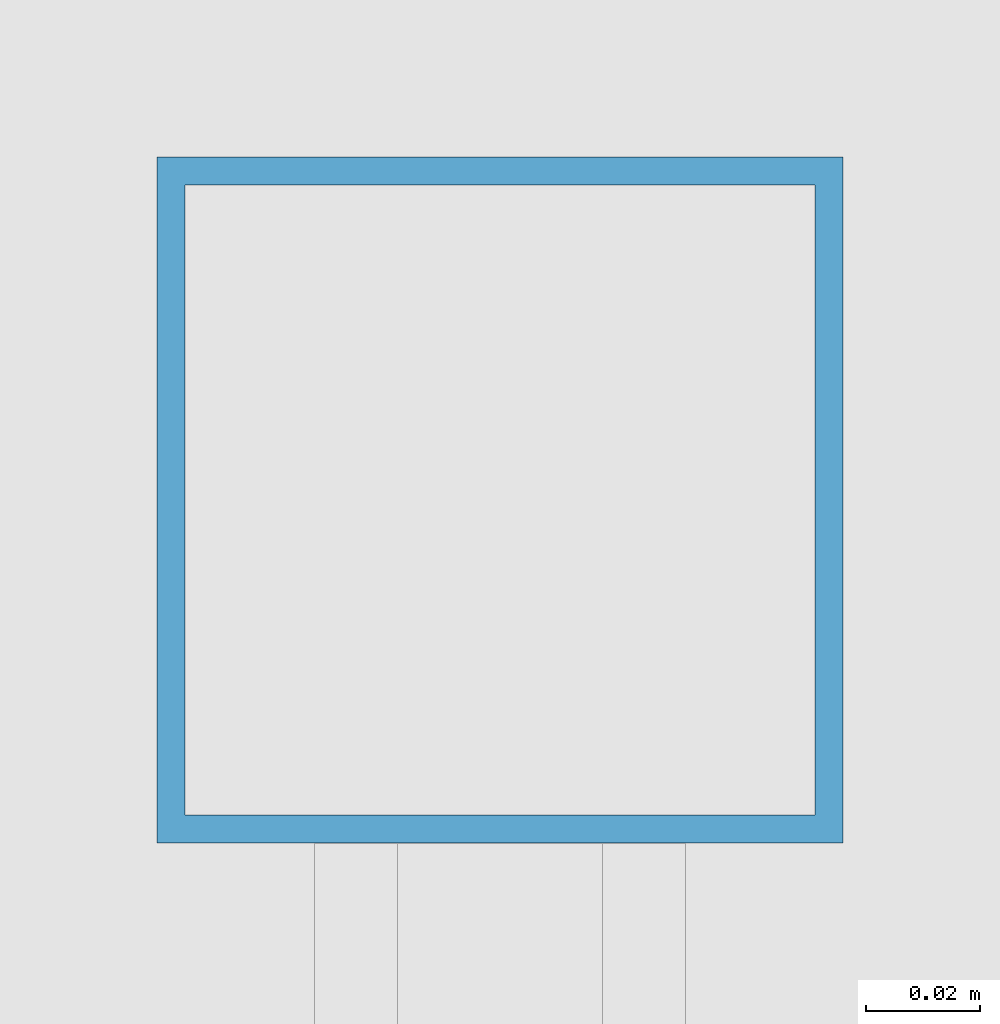
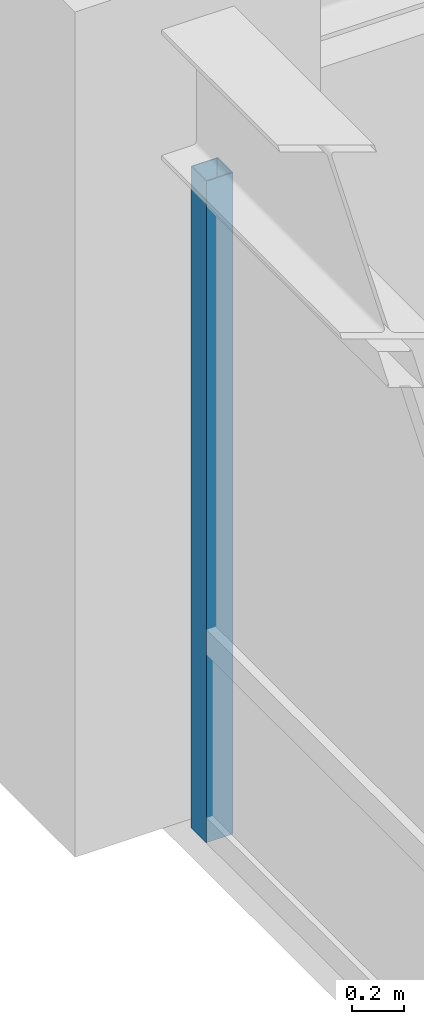
# One storey, part 15 of 35: 1 member, 1 element without a shape of its own.
"""IFC4 building model written with IfcOpenShell, lengths in metres."""

from ifc_helpers import new_model, si_unit, direction, frame, origin, origin_2d, place, context, subcontext, project, spatial, hollow_rectangle, extrude, source, transform, mapped, material, material_profile, profile_set, type_object, element, aggregate, save


model = new_model("IFC4")

# Units and contexts
model_context = context("Model", 3, precision=1e-05, world=origin(), true_north=direction((0.0, 1.0)))
body_context = subcontext(model_context, "Body", "Model", "MODEL_VIEW")
ifc_project = project(units=[si_unit("LENGTHUNIT", "METRE"), si_unit("AREAUNIT", "SQUARE_METRE"), si_unit("VOLUMEUNIT", "CUBIC_METRE"), si_unit("PLANEANGLEUNIT", "RADIAN"), si_unit("MASSUNIT", "GRAM", prefix="KILO")], contexts=[model_context])

# Site, building, storey
site_placement = place(None, origin())
site = spatial("IfcSite", under=ifc_project, at=site_placement, CompositionType="ELEMENT")
building_placement = place(site_placement, origin())
building = spatial("IfcBuilding", under=site, at=building_placement, Name="Khorayat Bourse Tower", CompositionType="ELEMENT")
storey_placement = place(building_placement, frame((0.0, 0.0, 155.10009765625)))
storey = spatial("IfcBuildingStorey", under=building, at=storey_placement, Name="L35", CompositionType="ELEMENT", Elevation=155.10009765625)

# Curtain wall, member
ifc_material = material(Name="Aluminium EN AW-6063 T6", Category="aluminium")
curtain_wall_type = type_object("IfcCurtainWallType", Name="CW-SYS-03", PredefinedType="NOTDEFINED", material=ifc_material)
curtain_wall_placement = place(storey_placement, origin())
curtain_wall = element("IfcCurtainWall", 1, at=curtain_wall_placement, inside=storey, type_object=curtain_wall_type, Name="L35 Curtain Wall CW-L35-W1", PredefinedType="NOTDEFINED")
ifc_material_profile = material_profile(ifc_material, hollow_rectangle(XDim=0.1201171875, YDim=0.1201171875, WallThickness=0.0048828125, at=origin_2d()), Name="ALU 120x120x5")
ifc_profile_set = profile_set([ifc_material_profile], Name="Aluminium EN AW-6063 T6")
member_type = type_object("IfcMemberType", Name="CWM-VERT-120", PredefinedType="MULLION", material=ifc_profile_set)
shared_shape = source(origin(), body_context, "Body", "SweptSolid", [
    extrude(hollow_rectangle(XDim=0.1201171875, YDim=0.1201171875, WallThickness=0.0048828125, at=origin_2d()), origin(), (0.0, 0.0, 1.0), 3.1298828125),
])
member_placement = place(storey_placement, frame((-30.0, 24.840087890625, 0.0), z_axis=(0.0, 0.0, 1.0), x_axis=(-1.0, 0.0, 0.0)))
member = element("IfcMember", 2, at=member_placement, type_object=member_type, Name="CW-L35-W1 Vertical Mullion 3", PredefinedType="MULLION", context=body_context, shape_type="MappedRepresentation", body=[
    mapped(shared_shape, transform((0.0, 0.0, 0.0), scale=1.0)),
])
aggregate(curtain_wall, [member])

save(model, "model.ifc")
